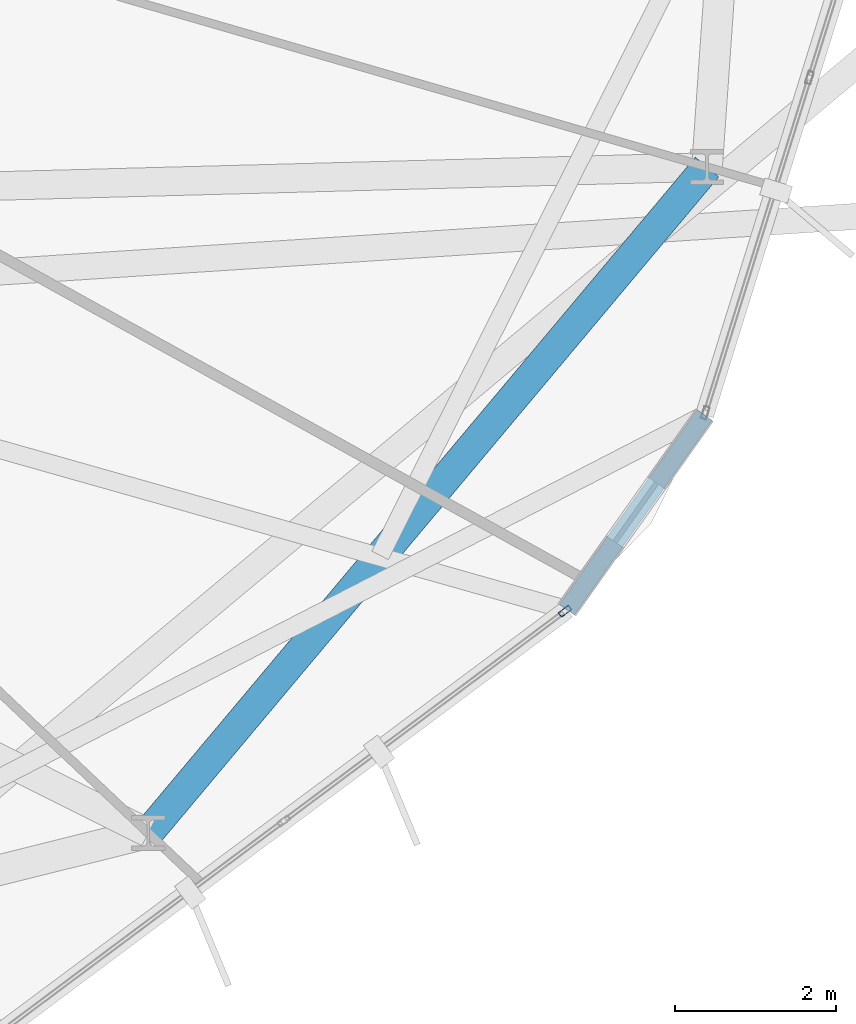
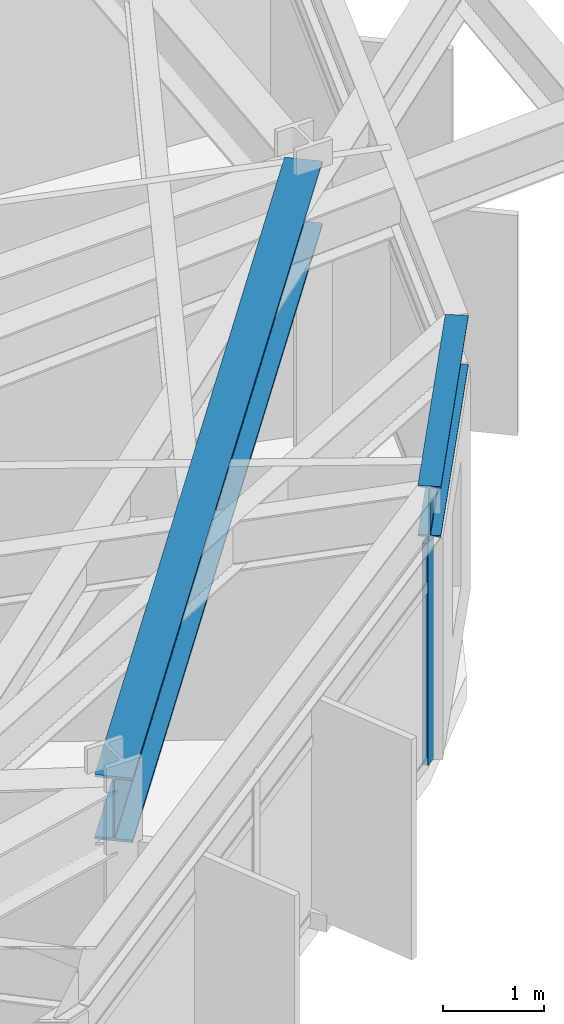
# One storey, part 9 of 27: 2 beams, 1 member, 1 element without a shape of its own.
"""IFC4 building model written with IfcOpenShell, lengths in metres."""

from ifc_helpers import new_model, si_unit, direction, frame, origin, origin_2d, place, context, subcontext, project, spatial, hollow_rectangle, i_section, extrude, material, layer, layer_set, material_profile, profile_set, type_object, element, aggregate, save


model = new_model("IFC4")

# Units and contexts
model_context = context("Model", 3, precision=1e-05, world=origin(), true_north=direction((0.0, 1.0)))
body_context = subcontext(model_context, "Body", "Model", "MODEL_VIEW")
ifc_project = project(units=[si_unit("LENGTHUNIT", "METRE"), si_unit("AREAUNIT", "SQUARE_METRE"), si_unit("VOLUMEUNIT", "CUBIC_METRE"), si_unit("PLANEANGLEUNIT", "RADIAN"), si_unit("MASSUNIT", "GRAM", prefix="KILO")], contexts=[model_context])

# Site, building, storey
site_placement = place(None, origin())
site = spatial("IfcSite", under=ifc_project, at=site_placement, CompositionType="ELEMENT")
building_placement = place(site_placement, origin())
building = spatial("IfcBuilding", under=site, at=building_placement, Name="Soratama Intermodal Tower", CompositionType="ELEMENT")
storey_placement = place(building_placement, frame((0.0, 0.0, 167.800048828125)))
storey = spatial("IfcBuildingStorey", under=building, at=storey_placement, Name="L41", CompositionType="ELEMENT", Elevation=167.800048828125)

# Beams
ifc_material_1 = material(Name="Structural steel ASTM A992 Grade 50", Category="steel")
ifc_material_profile_1 = material_profile(ifc_material_1, i_section(OverallWidth=0.382080078125, OverallDepth=0.779052734375, WebThickness=0.01806640625, FlangeThickness=0.030029296875, FilletRadius=0.01806640625, at=origin_2d()), Name="W30X191")
ifc_profile_set_1 = profile_set([ifc_material_profile_1], Name="Structural steel ASTM A992 Grade 50")
beam_type_1 = type_object("IfcBeamType", Name="BM-RING-W30X191", PredefinedType="BEAM", material=ifc_profile_set_1)
beam_1_placement = place(storey_placement, frame((54.27392578125, 10.158935546875, 2.910400390625), z_axis=(0.642791781199, 0.766040942785, 0.0), x_axis=(-0.766040942785, 0.642791781199, 0.0)))
element("IfcBeam", 1, at=beam_1_placement, inside=storey, type_object=beam_type_1, Name="BM-L41-RING-09", PredefinedType="BEAM", context=body_context, shape_type="SweptSolid", body=[
    extrude(i_section(OverallWidth=0.382080078125, OverallDepth=0.779052734375, WebThickness=0.01806640625, FlangeThickness=0.030029296875, FilletRadius=0.01806640625, at=origin_2d()), origin(), (0.0, 0.0, 1.0), 10.815673828125),
])
ifc_material_2 = material(Name="Structural steel ASTM A992 Grade 50", Category="steel")
ifc_material_profile_2 = material_profile(ifc_material_2, i_section(OverallWidth=0.22900390625, OverallDepth=0.612060546875, WebThickness=0.011962890625, FlangeThickness=0.01953125, FilletRadius=0.012939453125, at=origin_2d()), Name="W24X84")
ifc_profile_set_2 = profile_set([ifc_material_profile_2], Name="Structural steel ASTM A992 Grade 50")
beam_type_2 = type_object("IfcBeamType", Name="BM-SPN-W24X84", PredefinedType="SPANDREL", material=ifc_profile_set_2)
beam_2_placement = place(storey_placement, frame((59.48291015625, 12.93603515625, 2.993896484375), z_axis=(0.577487465028, 0.816399551528, 0.0), x_axis=(-0.816399551528, 0.577487465028, 0.0)))
element("IfcBeam", 2, at=beam_2_placement, inside=storey, type_object=beam_type_2, Name="BS-L41-CRN08", PredefinedType="SPANDREL", context=body_context, shape_type="SweptSolid", body=[
    extrude(i_section(OverallWidth=0.22900390625, OverallDepth=0.612060546875, WebThickness=0.011962890625, FlangeThickness=0.01953125, FilletRadius=0.012939453125, at=origin_2d()), origin(), (0.0, 0.0, 1.0), 2.966552734375),
])

# Curtain wall, member
ifc_material_3 = material(Name="Double-glazed aluminium curtain wall", Category="aluminium")
ifc_layer = layer(ifc_material_3, 0.159912109375)
ifc_layer_set = layer_set([ifc_layer], Name="Double-glazed aluminium curtain wall")
curtain_wall_type = type_object("IfcCurtainWallType", Name="CW-SYS-4", PredefinedType="NOTDEFINED", material=ifc_layer_set)
curtain_wall_placement = place(storey_placement, origin())
curtain_wall = element("IfcCurtainWall", 3, at=curtain_wall_placement, inside=storey, type_object=curtain_wall_type, Name="L41 Faceted Curtain Wall F08", PredefinedType="NOTDEFINED")
ifc_material_4 = material(Name="Anodised aluminium AA 6063-T6", Category="aluminium")
ifc_material_profile_3 = material_profile(ifc_material_4, hollow_rectangle(XDim=0.070068359375, YDim=0.159912109375, WallThickness=0.0048828125, InnerFilletRadius=0.0048828125, OuterFilletRadius=0.010009765625, at=origin_2d()), Name="CWM160X70X5")
ifc_profile_set_3 = profile_set([ifc_material_profile_3], Name="Anodised aluminium AA 6063-T6")
member_type = type_object("IfcMemberType", Name="MT-CWM-4", PredefinedType="MULLION", material=ifc_profile_set_3)
member_placement = place(storey_placement, frame((59.45849609375, 12.91845703125, 0.0), z_axis=(0.0, 0.0, 1.0), x_axis=(-0.59790688007, 0.801565569848, 0.0)))
member = element("IfcMember", 4, at=member_placement, type_object=member_type, Name="CW-4 mullion 3", PredefinedType="MULLION", context=body_context, shape_type="SweptSolid", body=[
    extrude(hollow_rectangle(XDim=0.070068359375, YDim=0.159912109375, WallThickness=0.0048828125, InnerFilletRadius=0.0048828125, OuterFilletRadius=0.010009765625, at=origin_2d()), origin(), (0.0, 0.0, 1.0), 2.678955078125),
])
aggregate(curtain_wall, [member])

save(model, "model.ifc")
